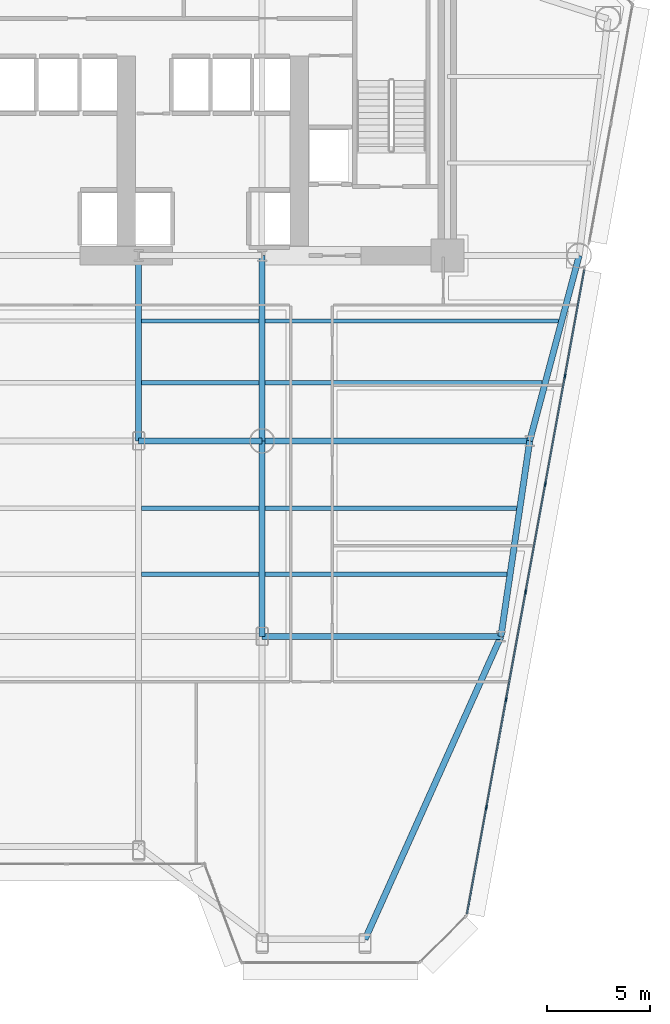
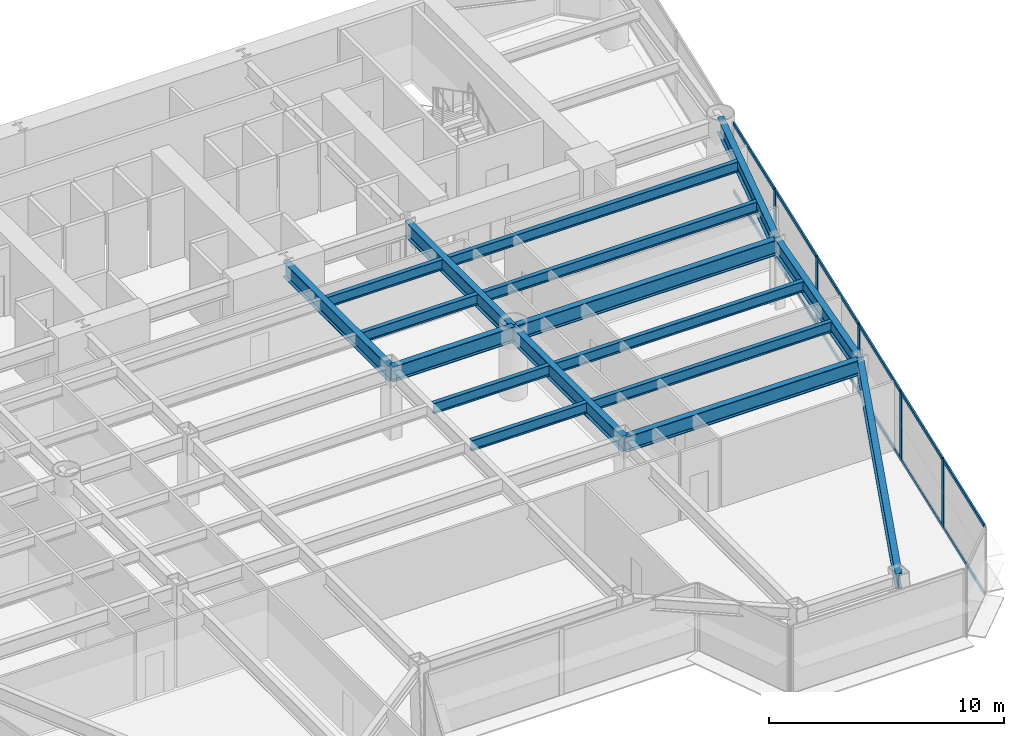
# One storey, part 4 of 14: 17 beams, 17 members, 1 element without a shape of its own.
"""IFC4 building model written with IfcOpenShell, lengths in metres."""

from ifc_helpers import new_model, si_unit, direction, frame, origin, origin_2d, place, context, subcontext, project, spatial, rectangle, i_section, extrude, source, transform, mapped, material, layer, layer_set, material_profile, profile_set, type_object, element, aggregate, save


model = new_model("IFC4")

# Units and contexts
model_context = context("Model", 3, precision=1e-05, world=origin(), true_north=direction((0.0, 1.0)))
body_context = subcontext(model_context, "Body", "Model", "MODEL_VIEW")
ifc_project = project(units=[si_unit("LENGTHUNIT", "METRE"), si_unit("AREAUNIT", "SQUARE_METRE"), si_unit("VOLUMEUNIT", "CUBIC_METRE"), si_unit("PLANEANGLEUNIT", "RADIAN"), si_unit("MASSUNIT", "GRAM", prefix="KILO")], contexts=[model_context])

# Site, building, storey
site_placement = place(None, origin())
site = spatial("IfcSite", under=ifc_project, at=site_placement, CompositionType="ELEMENT")
building_placement = place(site_placement, origin())
building = spatial("IfcBuilding", under=site, at=building_placement, Name="Vaeldorn Concourse Tower", CompositionType="ELEMENT")
storey_placement = place(building_placement, frame((0.0, 0.0, 53.0)))
storey = spatial("IfcBuildingStorey", under=building, at=storey_placement, Name="L13", CompositionType="ELEMENT", Elevation=53.0)

# Beams
ifc_material_1 = material(Name="Steel S355", Category="steel")
ifc_material_profile_1 = material_profile(ifc_material_1, i_section(OverallWidth=0.300048828125, OverallDepth=0.800048828125, WebThickness=0.017578125, FlangeThickness=0.032958984375, FilletRadius=0.030029296875, at=origin_2d()), Name="HEB 800")
ifc_profile_set_1 = profile_set([ifc_material_profile_1], Name="Steel S355")
beam_type_1 = type_object("IfcBeamType", Name="BM-PG-HEB800", PredefinedType="BEAM", material=ifc_profile_set_1)
shared_shape_1 = source(origin(), body_context, "Body", "SweptSolid", [
    extrude(i_section(OverallWidth=0.300048828125, OverallDepth=0.800048828125, WebThickness=0.017578125, FlangeThickness=0.032958984375, FilletRadius=0.030029296875, at=origin_2d()), origin(), (0.0, 0.0, 1.0), 6.0),
])
beam_1_placement = place(storey_placement, frame((39.0, 27.5, 3.179931640625), z_axis=(1.0, 0.0, 0.0), x_axis=(0.0, 1.0, 0.0)))
element("IfcBeam", 1, at=beam_1_placement, inside=storey, type_object=beam_type_1, Name="Beam BM-L13-C-TW3-C-TW4", PredefinedType="BEAM", context=body_context, shape_type="MappedRepresentation", body=[
    mapped(shared_shape_1, transform((0.0, 0.0, 0.0), scale=1.0)),
])
shared_shape_2 = source(origin(), body_context, "Body", "SweptSolid", [
    extrude(i_section(OverallWidth=0.300048828125, OverallDepth=0.800048828125, WebThickness=0.017578125, FlangeThickness=0.032958984375, FilletRadius=0.030029296875, at=origin_2d()), origin(), (0.0, 0.0, 1.0), 9.0),
])
for number, where, z_axis, x_axis, name in (
    (2, (39.0, 27.5, 3.179931640625), (0.0, 1.0, 0.0), (-1.0, 0.0, 0.0), "Beam BM-L13-C-TW3-C-FC4"),
    (3, (45.0, 27.5, 3.179931640625), (0.0, 1.0, 0.0), (-1.0, 0.0, 0.0), "Beam BM-L13-C-TW4-C-FC5"),
):
    element("IfcBeam", number, at=place(storey_placement, frame(where, z_axis=z_axis, x_axis=x_axis)), inside=storey, type_object=beam_type_1, Name=name, PredefinedType="BEAM", context=body_context, shape_type="MappedRepresentation", body=[
        mapped(shared_shape_2, transform((0.0, 0.0, 0.0), scale=1.0)),
    ])
shared_shape_3 = source(origin(), body_context, "Body", "SweptSolid", [
    extrude(i_section(OverallWidth=0.300048828125, OverallDepth=0.800048828125, WebThickness=0.017578125, FlangeThickness=0.032958984375, FilletRadius=0.030029296875, at=origin_2d()), origin(), (0.0, 0.0, 1.0), 9.314453125),
])
beam_2_placement = place(storey_placement, frame((60.39990234375, 36.5, 3.179931640625), z_axis=(-0.257652862255, -0.966237549763, 0.0), x_axis=(0.966237549763, -0.257652862255, 0.0)))
element("IfcBeam", 4, at=beam_2_placement, inside=storey, type_object=beam_type_1, Name="Beam BM-L13-C-NE2-C-FLE1", PredefinedType="BEAM", context=body_context, shape_type="MappedRepresentation", body=[
    mapped(shared_shape_3, transform((0.0, 0.0, 0.0), scale=1.0)),
])
shared_shape_4 = source(origin(), body_context, "Body", "SweptSolid", [
    extrude(i_section(OverallWidth=0.300048828125, OverallDepth=0.800048828125, WebThickness=0.017578125, FlangeThickness=0.032958984375, FilletRadius=0.030029296875, at=origin_2d()), origin(), (0.0, 0.0, 1.0), 13.0),
])
beam_3_placement = place(storey_placement, frame((45.0, 27.5, 3.179931640625), z_axis=(1.0, 0.0, 0.0), x_axis=(0.0, 1.0, 0.0)))
element("IfcBeam", 5, at=beam_3_placement, inside=storey, type_object=beam_type_1, Name="Beam BM-L13-C-TW4-C-FLE1", PredefinedType="BEAM", context=body_context, shape_type="MappedRepresentation", body=[
    mapped(shared_shape_4, transform((0.0, 0.0, 0.0), scale=1.0)),
])
shared_shape_5 = source(origin(), body_context, "Body", "SweptSolid", [
    extrude(i_section(OverallWidth=0.300048828125, OverallDepth=0.800048828125, WebThickness=0.017578125, FlangeThickness=0.032958984375, FilletRadius=0.030029296875, at=origin_2d()), origin(), (0.0, 0.0, 1.0), 9.6025390625),
])
beam_4_placement = place(storey_placement, frame((58.0, 27.5, 3.179931640625), z_axis=(-0.145783835977, -0.989316467652, 0.0), x_axis=(0.989316467652, -0.145783835977, 0.0)))
element("IfcBeam", 6, at=beam_4_placement, inside=storey, type_object=beam_type_1, Name="Beam BM-L13-C-FLE1-C-FLE2", PredefinedType="BEAM", context=body_context, shape_type="MappedRepresentation", body=[
    mapped(shared_shape_5, transform((0.0, 0.0, 0.0), scale=1.0)),
])
shared_shape_6 = source(origin(), body_context, "Body", "SweptSolid", [
    extrude(i_section(OverallWidth=0.300048828125, OverallDepth=0.800048828125, WebThickness=0.017578125, FlangeThickness=0.032958984375, FilletRadius=0.030029296875, at=origin_2d()), origin(), (0.0, 0.0, 1.0), 11.60009765625),
])
beam_5_placement = place(storey_placement, frame((45.0, 18.0, 3.179931640625), z_axis=(1.0, 0.0, 0.0), x_axis=(0.0, 1.0, 0.0)))
element("IfcBeam", 7, at=beam_5_placement, inside=storey, type_object=beam_type_1, Name="Beam BM-L13-C-TW6-C-FLE2", PredefinedType="BEAM", context=body_context, shape_type="MappedRepresentation", body=[
    mapped(shared_shape_6, transform((0.0, 0.0, 0.0), scale=1.0)),
])
shared_shape_7 = source(origin(), body_context, "Body", "SweptSolid", [
    extrude(i_section(OverallWidth=0.300048828125, OverallDepth=0.800048828125, WebThickness=0.017578125, FlangeThickness=0.032958984375, FilletRadius=0.030029296875, at=origin_2d()), origin(), (0.0, 0.0, 1.0), 9.5),
])
beam_6_placement = place(storey_placement, frame((45.0, 18.0, 3.179931640625), z_axis=(0.0, 1.0, 0.0), x_axis=(-1.0, 0.0, 0.0)))
element("IfcBeam", 8, at=beam_6_placement, inside=storey, type_object=beam_type_1, Name="Beam BM-L13-C-TW6-C-TW4", PredefinedType="BEAM", context=body_context, shape_type="MappedRepresentation", body=[
    mapped(shared_shape_7, transform((0.0, 0.0, 0.0), scale=1.0)),
])
ifc_material_profile_2 = material_profile(ifc_material_1, i_section(OverallWidth=0.2099609375, OverallDepth=0.550048828125, WebThickness=0.010986328125, FlangeThickness=0.01708984375, FilletRadius=0.02392578125, at=origin_2d()), Name="IPE 550")
ifc_profile_set_2 = profile_set([ifc_material_profile_2], Name="Steel S355")
beam_type_2 = type_object("IfcBeamType", Name="BM-JS-IPE550", PredefinedType="JOIST", material=ifc_profile_set_2)
shared_shape_8 = source(origin(), body_context, "Body", "SweptSolid", [
    extrude(i_section(OverallWidth=0.2099609375, OverallDepth=0.550048828125, WebThickness=0.010986328125, FlangeThickness=0.01708984375, FilletRadius=0.02392578125, at=origin_2d()), origin(), (0.0, 0.0, 1.0), 5.7001953125),
])
for number, where, z_axis, x_axis, name in (
    (9, (39.14990234375, 21.02001953125, 3.304931640625), (1.0, 0.0, 0.0), (0.0, 1.0, 0.0), "Beam JS-L13-E2-210"),
    (10, (39.14990234375, 24.219970703125, 3.304931640625), (1.0, 0.0, 0.0), (0.0, 1.0, 0.0), "Beam JS-L13-E2-242"),
    (11, (39.14990234375, 30.320068359375, 3.304931640625), (1.0, 0.0, 0.0), (0.0, 1.0, 0.0), "Beam JS-L13-E2-303"),
    (12, (39.14990234375, 33.320068359375, 3.304931640625), (1.0, 0.0, 0.0), (0.0, 1.0, 0.0), "Beam JS-L13-E2-333"),
):
    element("IfcBeam", number, at=place(storey_placement, frame(where, z_axis=z_axis, x_axis=x_axis)), inside=storey, type_object=beam_type_2, Name=name, PredefinedType="JOIST", context=body_context, shape_type="MappedRepresentation", body=[
        mapped(shared_shape_8, transform((0.0, 0.0, 0.0), scale=1.0)),
    ])
shared_shape_9 = source(origin(), body_context, "Body", "SweptSolid", [
    extrude(i_section(OverallWidth=0.2099609375, OverallDepth=0.550048828125, WebThickness=0.010986328125, FlangeThickness=0.01708984375, FilletRadius=0.02392578125, at=origin_2d()), origin(), (0.0, 0.0, 1.0), 11.7451171875),
])
beam_7_placement = place(storey_placement, frame((45.14990234375, 21.02001953125, 3.304931640625), z_axis=(1.0, 0.0, 0.0), x_axis=(0.0, 1.0, 0.0)))
element("IfcBeam", 13, at=beam_7_placement, inside=storey, type_object=beam_type_2, Name="Beam JS-L13-E1-210", PredefinedType="JOIST", context=body_context, shape_type="MappedRepresentation", body=[
    mapped(shared_shape_9, transform((0.0, 0.0, 0.0), scale=1.0)),
])
shared_shape_10 = source(origin(), body_context, "Body", "SweptSolid", [
    extrude(i_section(OverallWidth=0.2099609375, OverallDepth=0.550048828125, WebThickness=0.010986328125, FlangeThickness=0.01708984375, FilletRadius=0.02392578125, at=origin_2d()), origin(), (0.0, 0.0, 1.0), 12.216796875),
])
beam_8_placement = place(storey_placement, frame((45.14990234375, 24.219970703125, 3.304931640625), z_axis=(1.0, 0.0, 0.0), x_axis=(0.0, 1.0, 0.0)))
element("IfcBeam", 14, at=beam_8_placement, inside=storey, type_object=beam_type_2, Name="Beam JS-L13-E1-242", PredefinedType="JOIST", context=body_context, shape_type="MappedRepresentation", body=[
    mapped(shared_shape_10, transform((0.0, 0.0, 0.0), scale=1.0)),
])
shared_shape_11 = source(origin(), body_context, "Body", "SweptSolid", [
    extrude(i_section(OverallWidth=0.2099609375, OverallDepth=0.550048828125, WebThickness=0.010986328125, FlangeThickness=0.01708984375, FilletRadius=0.02392578125, at=origin_2d()), origin(), (0.0, 0.0, 1.0), 13.4521484375),
])
beam_9_placement = place(storey_placement, frame((45.14990234375, 30.320068359375, 3.304931640625), z_axis=(1.0, 0.0, 0.0), x_axis=(0.0, 1.0, 0.0)))
element("IfcBeam", 15, at=beam_9_placement, inside=storey, type_object=beam_type_2, Name="Beam JS-L13-E1-303", PredefinedType="JOIST", context=body_context, shape_type="MappedRepresentation", body=[
    mapped(shared_shape_11, transform((0.0, 0.0, 0.0), scale=1.0)),
])
shared_shape_12 = source(origin(), body_context, "Body", "SweptSolid", [
    extrude(i_section(OverallWidth=0.2099609375, OverallDepth=0.550048828125, WebThickness=0.010986328125, FlangeThickness=0.01708984375, FilletRadius=0.02392578125, at=origin_2d()), origin(), (0.0, 0.0, 1.0), 14.252197265625),
])
beam_10_placement = place(storey_placement, frame((45.14990234375, 33.320068359375, 3.304931640625), z_axis=(1.0, 0.0, 0.0), x_axis=(0.0, 1.0, 0.0)))
element("IfcBeam", 16, at=beam_10_placement, inside=storey, type_object=beam_type_2, Name="Beam JS-L13-E1-333", PredefinedType="JOIST", context=body_context, shape_type="MappedRepresentation", body=[
    mapped(shared_shape_12, transform((0.0, 0.0, 0.0), scale=1.0)),
])
shared_shape_13 = source(origin(), body_context, "Body", "SweptSolid", [
    extrude(i_section(OverallWidth=0.300048828125, OverallDepth=0.800048828125, WebThickness=0.017578125, FlangeThickness=0.032958984375, FilletRadius=0.030029296875, at=origin_2d()), origin(), (0.0, 0.0, 1.0), 16.1220703125),
])
beam_11_placement = place(storey_placement, frame((50.0, 3.290771484375, 3.179931640625), z_axis=(0.409381547022, 0.912363276857, 0.0), x_axis=(-0.912363276857, 0.409381547022, 0.0)))
element("IfcBeam", 17, at=beam_11_placement, inside=storey, type_object=beam_type_1, Name="Beam BM-L13-C-SF6-C-FLE2", PredefinedType="BEAM", context=body_context, shape_type="MappedRepresentation", body=[
    mapped(shared_shape_13, transform((0.0, 0.0, 0.0), scale=1.0)),
])

# Curtain wall, members
ifc_material_2 = material(Name="Anodised Bronze Aluminium", Category="aluminium")
ifc_layer = layer(ifc_material_2, 0.219970703125)
ifc_layer_set = layer_set([ifc_layer], Name="Anodised Bronze Aluminium")
curtain_wall_type = type_object("IfcCurtainWallType", Name="CW-SYS-01", PredefinedType="NOTDEFINED", material=ifc_layer_set)
curtain_wall_placement = place(storey_placement, origin())
curtain_wall = element("IfcCurtainWall", 18, at=curtain_wall_placement, inside=storey, type_object=curtain_wall_type, Name="Unitised Curtain Wall CW-L13-E07-1", PredefinedType="NOTDEFINED")
ifc_material_profile_3 = material_profile(ifc_material_2, rectangle(XDim=0.074951171875, YDim=0.219970703125, at=origin_2d()), Name="CWM 75x220")
ifc_profile_set_3 = profile_set([ifc_material_profile_3], Name="Anodised Bronze Aluminium")
member_type_1 = type_object("IfcMemberType", Name="CWM-BRONZE-220", PredefinedType="MULLION", material=ifc_profile_set_3)
shared_shape_14 = source(origin(), body_context, "Body", "SweptSolid", [
    extrude(rectangle(XDim=0.074951171875, YDim=0.219970703125, at=origin_2d()), origin(), (0.0, 0.0, 1.0), 3.580078125),
])
member_1_placement = place(storey_placement, frame((55.89404296875, 9.68994140625, 0.0), z_axis=(0.0, 0.0, 1.0), x_axis=(-0.983811609564, 0.179205794791, 0.0)))
member_1 = element("IfcMember", 19, at=member_1_placement, type_object=member_type_1, Name="CW-01 mullion 2", PredefinedType="MULLION", context=body_context, shape_type="MappedRepresentation", body=[
    mapped(shared_shape_14, transform((0.0, 0.0, 0.0), scale=1.0)),
])
member_2_placement = place(storey_placement, frame((56.848388671875, 14.927978515625, 0.0), z_axis=(0.0, 0.0, 1.0), x_axis=(-0.983811609564, 0.179205794791, 0.0)))
member_2 = element("IfcMember", 20, at=member_2_placement, type_object=member_type_1, Name="CW-01 mullion 3", PredefinedType="MULLION", context=body_context, shape_type="MappedRepresentation", body=[
    mapped(shared_shape_14, transform((0.0, 0.0, 0.0), scale=1.0)),
])
member_3_placement = place(storey_placement, frame((57.802490234375, 20.166015625, 0.0), z_axis=(0.0, 0.0, 1.0), x_axis=(-0.983811609564, 0.179205794791, 0.0)))
member_3 = element("IfcMember", 21, at=member_3_placement, type_object=member_type_1, Name="CW-01 mullion 4", PredefinedType="MULLION", context=body_context, shape_type="MappedRepresentation", body=[
    mapped(shared_shape_14, transform((0.0, 0.0, 0.0), scale=1.0)),
])
member_4_placement = place(storey_placement, frame((58.756591796875, 25.404296875, 0.0), z_axis=(0.0, 0.0, 1.0), x_axis=(-0.983811609564, 0.179205794791, 0.0)))
member_4 = element("IfcMember", 22, at=member_4_placement, type_object=member_type_1, Name="CW-01 mullion 5", PredefinedType="MULLION", context=body_context, shape_type="MappedRepresentation", body=[
    mapped(shared_shape_14, transform((0.0, 0.0, 0.0), scale=1.0)),
])
member_5_placement = place(storey_placement, frame((59.710693359375, 30.642333984375, 0.0), z_axis=(0.0, 0.0, 1.0), x_axis=(-0.983811609564, 0.179205794791, 0.0)))
member_5 = element("IfcMember", 23, at=member_5_placement, type_object=member_type_1, Name="CW-01 mullion 6", PredefinedType="MULLION", context=body_context, shape_type="MappedRepresentation", body=[
    mapped(shared_shape_14, transform((0.0, 0.0, 0.0), scale=1.0)),
])
ifc_material_profile_4 = material_profile(ifc_material_2, rectangle(XDim=0.074951171875, YDim=0.179931640625, at=origin_2d()), Name="CWT 75x180")
ifc_profile_set_4 = profile_set([ifc_material_profile_4], Name="Anodised Bronze Aluminium")
member_type_2 = type_object("IfcMemberType", Name="CWT-BRONZE-180", PredefinedType="USERDEFINED", material=ifc_profile_set_4)
shared_shape_15 = source(origin(), body_context, "Body", "SweptSolid", [
    extrude(rectangle(XDim=0.074951171875, YDim=0.179931640625, at=origin_2d()), origin(), (0.0, 0.0, 1.0), 5.2119140625),
])
member_6_placement = place(storey_placement, frame((54.953369140625, 4.525390625, 0.03759765625), z_axis=(0.179223450753, 0.983808393286, 0.0), x_axis=(-0.983808393286, 0.179223450753, 0.0)))
member_6 = element("IfcMember", 24, at=member_6_placement, type_object=member_type_2, Name="CW-01 transom 1.1", ObjectType="TRANSOM", PredefinedType="USERDEFINED", context=body_context, shape_type="MappedRepresentation", body=[
    mapped(shared_shape_15, transform((0.0, 0.0, 0.0), scale=1.0)),
])
member_7_placement = place(storey_placement, frame((54.953369140625, 4.525390625, 3.54248046875), z_axis=(0.179223450753, 0.983808393286, 0.0), x_axis=(-0.983808393286, 0.179223450753, 0.0)))
member_7 = element("IfcMember", 25, at=member_7_placement, type_object=member_type_2, Name="CW-01 transom 1.2", ObjectType="TRANSOM", PredefinedType="USERDEFINED", context=body_context, shape_type="MappedRepresentation", body=[
    mapped(shared_shape_15, transform((0.0, 0.0, 0.0), scale=1.0)),
])
shared_shape_16 = source(origin(), body_context, "Body", "SweptSolid", [
    extrude(rectangle(XDim=0.074951171875, YDim=0.179931640625, at=origin_2d()), origin(), (0.0, 0.0, 1.0), 5.249267578125),
])
member_8_placement = place(storey_placement, frame((55.90087890625, 9.726806640625, 0.03759765625), z_axis=(0.179200576468, 0.983812560091, 0.0), x_axis=(-0.983812560091, 0.179200576468, 0.0)))
member_8 = element("IfcMember", 26, at=member_8_placement, type_object=member_type_2, Name="CW-01 transom 2.1", ObjectType="TRANSOM", PredefinedType="USERDEFINED", context=body_context, shape_type="MappedRepresentation", body=[
    mapped(shared_shape_16, transform((0.0, 0.0, 0.0), scale=1.0)),
])
member_9_placement = place(storey_placement, frame((55.90087890625, 9.726806640625, 3.54248046875), z_axis=(0.179200576468, 0.983812560091, 0.0), x_axis=(-0.983812560091, 0.179200576468, 0.0)))
member_9 = element("IfcMember", 27, at=member_9_placement, type_object=member_type_2, Name="CW-01 transom 2.2", ObjectType="TRANSOM", PredefinedType="USERDEFINED", context=body_context, shape_type="MappedRepresentation", body=[
    mapped(shared_shape_16, transform((0.0, 0.0, 0.0), scale=1.0)),
])
member_10_placement = place(storey_placement, frame((56.85498046875, 14.96484375, 0.03759765625), z_axis=(0.179200576468, 0.983812560091, 0.0), x_axis=(-0.983812560091, 0.179200576468, 0.0)))
member_10 = element("IfcMember", 28, at=member_10_placement, type_object=member_type_2, Name="CW-01 transom 3.1", ObjectType="TRANSOM", PredefinedType="USERDEFINED", context=body_context, shape_type="MappedRepresentation", body=[
    mapped(shared_shape_16, transform((0.0, 0.0, 0.0), scale=1.0)),
])
member_11_placement = place(storey_placement, frame((56.85498046875, 14.96484375, 3.54248046875), z_axis=(0.179200576468, 0.983812560091, 0.0), x_axis=(-0.983812560091, 0.179200576468, 0.0)))
member_11 = element("IfcMember", 29, at=member_11_placement, type_object=member_type_2, Name="CW-01 transom 3.2", ObjectType="TRANSOM", PredefinedType="USERDEFINED", context=body_context, shape_type="MappedRepresentation", body=[
    mapped(shared_shape_16, transform((0.0, 0.0, 0.0), scale=1.0)),
])
member_12_placement = place(storey_placement, frame((58.763427734375, 25.441162109375, 0.03759765625), z_axis=(0.179200576468, 0.983812560091, 0.0), x_axis=(-0.983812560091, 0.179200576468, 0.0)))
member_12 = element("IfcMember", 30, at=member_12_placement, type_object=member_type_2, Name="CW-01 transom 5.1", ObjectType="TRANSOM", PredefinedType="USERDEFINED", context=body_context, shape_type="MappedRepresentation", body=[
    mapped(shared_shape_16, transform((0.0, 0.0, 0.0), scale=1.0)),
])
member_13_placement = place(storey_placement, frame((58.763427734375, 25.441162109375, 3.54248046875), z_axis=(0.179200576468, 0.983812560091, 0.0), x_axis=(-0.983812560091, 0.179200576468, 0.0)))
member_13 = element("IfcMember", 31, at=member_13_placement, type_object=member_type_2, Name="CW-01 transom 5.2", ObjectType="TRANSOM", PredefinedType="USERDEFINED", context=body_context, shape_type="MappedRepresentation", body=[
    mapped(shared_shape_16, transform((0.0, 0.0, 0.0), scale=1.0)),
])
shared_shape_17 = source(origin(), body_context, "Body", "SweptSolid", [
    extrude(rectangle(XDim=0.074951171875, YDim=0.179931640625, at=origin_2d()), origin(), (0.0, 0.0, 1.0), 5.24951171875),
])
member_14_placement = place(storey_placement, frame((57.80908203125, 20.202880859375, 0.03759765625), z_axis=(0.179237390576, 0.983805853723, 0.0), x_axis=(-0.983805853723, 0.179237390576, 0.0)))
member_14 = element("IfcMember", 32, at=member_14_placement, type_object=member_type_2, Name="CW-01 transom 4.1", ObjectType="TRANSOM", PredefinedType="USERDEFINED", context=body_context, shape_type="MappedRepresentation", body=[
    mapped(shared_shape_17, transform((0.0, 0.0, 0.0), scale=1.0)),
])
member_15_placement = place(storey_placement, frame((57.80908203125, 20.202880859375, 3.54248046875), z_axis=(0.179237390576, 0.983805853723, 0.0), x_axis=(-0.983805853723, 0.179237390576, 0.0)))
member_15 = element("IfcMember", 33, at=member_15_placement, type_object=member_type_2, Name="CW-01 transom 4.2", ObjectType="TRANSOM", PredefinedType="USERDEFINED", context=body_context, shape_type="MappedRepresentation", body=[
    mapped(shared_shape_17, transform((0.0, 0.0, 0.0), scale=1.0)),
])
shared_shape_18 = source(origin(), body_context, "Body", "SweptSolid", [
    extrude(rectangle(XDim=0.074951171875, YDim=0.179931640625, at=origin_2d()), origin(), (0.0, 0.0, 1.0), 5.211669921875),
])
member_16_placement = place(storey_placement, frame((59.717529296875, 30.67919921875, 0.03759765625), z_axis=(0.179178111289, 0.983816651839, 0.0), x_axis=(-0.983816651839, 0.179178111289, 0.0)))
member_16 = element("IfcMember", 34, at=member_16_placement, type_object=member_type_2, Name="CW-01 transom 6.1", ObjectType="TRANSOM", PredefinedType="USERDEFINED", context=body_context, shape_type="MappedRepresentation", body=[
    mapped(shared_shape_18, transform((0.0, 0.0, 0.0), scale=1.0)),
])
member_17_placement = place(storey_placement, frame((59.717529296875, 30.67919921875, 3.54248046875), z_axis=(0.179178111289, 0.983816651839, 0.0), x_axis=(-0.983816651839, 0.179178111289, 0.0)))
member_17 = element("IfcMember", 35, at=member_17_placement, type_object=member_type_2, Name="CW-01 transom 6.2", ObjectType="TRANSOM", PredefinedType="USERDEFINED", context=body_context, shape_type="MappedRepresentation", body=[
    mapped(shared_shape_18, transform((0.0, 0.0, 0.0), scale=1.0)),
])
aggregate(curtain_wall, [member_1, member_2, member_3, member_4, member_5, member_6, member_7, member_8, member_9, member_10, member_11, member_14, member_15, member_12, member_13, member_16, member_17])

save(model, "model.ifc")
